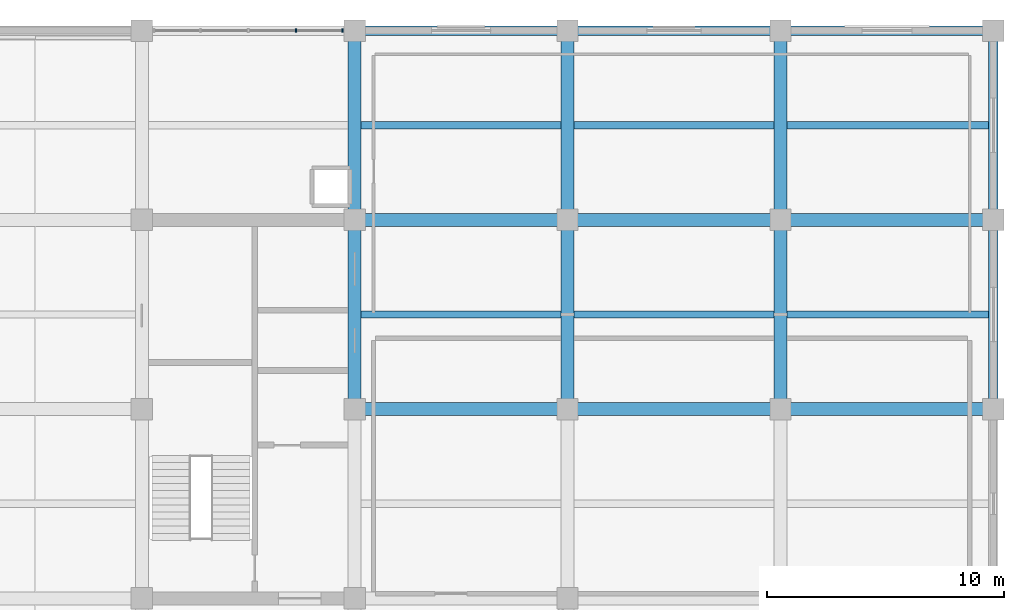
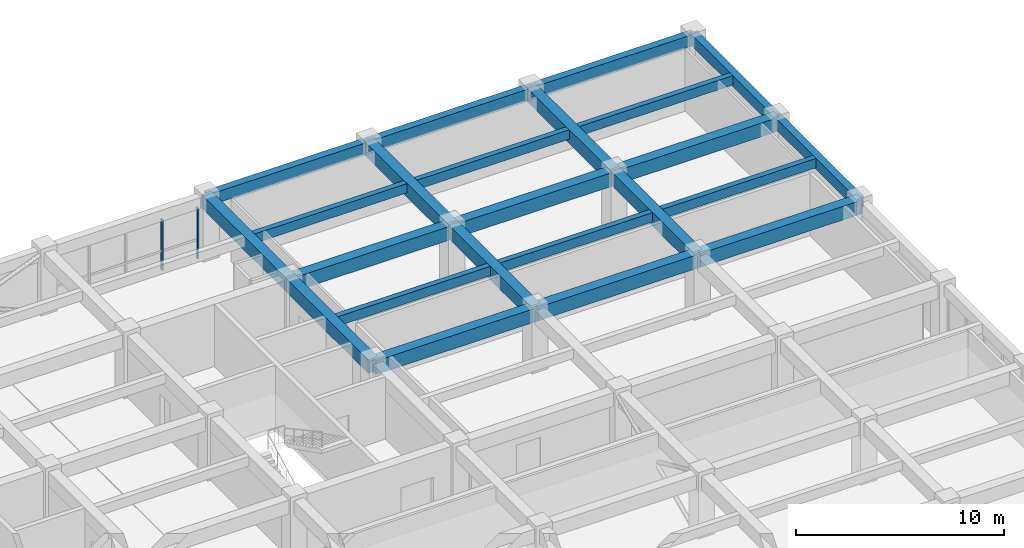
# One storey, part 10 of 16: 23 beams, 2 members, 1 element without a shape of its own.
"""IFC4 building model written with IfcOpenShell, lengths in metres."""

from ifc_helpers import new_model, si_unit, direction, frame, origin, origin_2d, place, context, subcontext, project, spatial, rectangle, extrude, material, material_profile, profile_set, type_object, element, aggregate, save


model = new_model("IFC4")

# Units and contexts
model_context = context("Model", 3, precision=1e-05, world=origin(), true_north=direction((0.0, 1.0)))
body_context = subcontext(model_context, "Body", "Model", "MODEL_VIEW")
ifc_project = project(units=[si_unit("LENGTHUNIT", "METRE"), si_unit("AREAUNIT", "SQUARE_METRE"), si_unit("VOLUMEUNIT", "CUBIC_METRE"), si_unit("PLANEANGLEUNIT", "RADIAN"), si_unit("MASSUNIT", "GRAM", prefix="KILO")], contexts=[model_context])

# Site, building, storey
site_placement = place(None, origin())
site = spatial("IfcSite", under=ifc_project, at=site_placement, CompositionType="ELEMENT")
building_placement = place(site_placement, origin())
building = spatial("IfcBuilding", under=site, at=building_placement, Name="Zaverband Oceanarium and Marine Research Institute", CompositionType="ELEMENT")
storey_placement = place(building_placement, frame((0.0, 0.0, 25.800048828125)))
storey = spatial("IfcBuildingStorey", under=building, at=storey_placement, Name="L06", CompositionType="ELEMENT", Elevation=25.800048828125)

# Beams
ifc_material_1 = material(Name="Concrete C40/50", Category="concrete")
ifc_material_profile_1 = material_profile(ifc_material_1, rectangle(XDim=0.550048828125, YDim=0.800048828125, at=origin_2d()), Name="RC550x800")
ifc_profile_set_1 = profile_set([ifc_material_profile_1], Name="Concrete C40/50")
beam_type_1 = type_object("IfcBeamType", Name="BM-550x800", PredefinedType="BEAM", material=ifc_profile_set_1)
for number, where, z_axis, x_axis, name in (
    (1, (45.0, 96.0, 3.25), (1.0, 0.0, 0.0), (0.0, 1.0, 0.0), "Primary floor girder BM-550x800"),
    (2, (54.0, 96.0, 3.25), (1.0, 0.0, 0.0), (0.0, 1.0, 0.0), "Primary floor girder BM-550x800"),
    (3, (63.0, 96.0, 3.25), (1.0, 0.0, 0.0), (0.0, 1.0, 0.0), "Primary floor girder BM-550x800"),
    (4, (45.0, 104.0, 3.25), (1.0, 0.0, 0.0), (0.0, 1.0, 0.0), "Primary floor girder BM-550x800"),
    (5, (54.0, 104.0, 3.25), (1.0, 0.0, 0.0), (0.0, 1.0, 0.0), "Primary floor girder BM-550x800"),
    (6, (63.0, 104.0, 3.25), (1.0, 0.0, 0.0), (0.0, 1.0, 0.0), "Primary floor girder BM-550x800"),
):
    element("IfcBeam", number, at=place(storey_placement, frame(where, z_axis=z_axis, x_axis=x_axis)), inside=storey, type_object=beam_type_1, Name=name, PredefinedType="BEAM", context=body_context, shape_type="SweptSolid", body=[
        extrude(rectangle(XDim=0.550048828125, YDim=0.800048828125, at=origin_2d()), origin(), (0.0, 0.0, 1.0), 9.0),
    ])
for number, where, z_axis, x_axis, name in (
    (7, (45.0, 96.0, 3.25), (0.0, 1.0, 0.0), (-1.0, 0.0, 0.0), "Primary floor girder BM-550x800"),
    (8, (45.0, 104.0, 3.25), (0.0, 1.0, 0.0), (-1.0, 0.0, 0.0), "Primary floor girder BM-550x800"),
    (9, (54.0, 96.0, 3.25), (0.0, 1.0, 0.0), (-1.0, 0.0, 0.0), "Primary floor girder BM-550x800"),
    (10, (54.0, 104.0, 3.25), (0.0, 1.0, 0.0), (-1.0, 0.0, 0.0), "Primary floor girder BM-550x800"),
    (11, (63.0, 96.0, 3.25), (0.0, 1.0, 0.0), (-1.0, 0.0, 0.0), "Primary floor girder BM-550x800"),
    (12, (63.0, 104.0, 3.25), (0.0, 1.0, 0.0), (-1.0, 0.0, 0.0), "Primary floor girder BM-550x800"),
):
    element("IfcBeam", number, at=place(storey_placement, frame(where, z_axis=z_axis, x_axis=x_axis)), inside=storey, type_object=beam_type_1, Name=name, PredefinedType="BEAM", context=body_context, shape_type="SweptSolid", body=[
        extrude(rectangle(XDim=0.550048828125, YDim=0.800048828125, at=origin_2d()), origin(), (0.0, 0.0, 1.0), 8.0),
    ])
ifc_material_profile_2 = material_profile(ifc_material_1, rectangle(XDim=0.300048828125, YDim=0.550048828125, at=origin_2d()), Name="RC300x550")
ifc_profile_set_2 = profile_set([ifc_material_profile_2], Name="Concrete C40/50")
beam_type_2 = type_object("IfcBeamType", Name="JST-300x550", PredefinedType="JOIST", material=ifc_profile_set_2)
for number, where, z_axis, x_axis, name in (
    (13, (45.27490234375, 100.0, 3.375), (1.0, 0.0, 0.0), (0.0, 1.0, 0.0), "Secondary floor joist JST-300x550"),
    (14, (45.27490234375, 108.0, 3.375), (1.0, 0.0, 0.0), (0.0, 1.0, 0.0), "Secondary floor joist JST-300x550"),
    (15, (54.27490234375, 100.0, 3.375), (1.0, 0.0, 0.0), (0.0, 1.0, 0.0), "Secondary floor joist JST-300x550"),
    (16, (54.27490234375, 108.0, 3.375), (1.0, 0.0, 0.0), (0.0, 1.0, 0.0), "Secondary floor joist JST-300x550"),
):
    element("IfcBeam", number, at=place(storey_placement, frame(where, z_axis=z_axis, x_axis=x_axis)), inside=storey, type_object=beam_type_2, Name=name, PredefinedType="JOIST", context=body_context, shape_type="SweptSolid", body=[
        extrude(rectangle(XDim=0.300048828125, YDim=0.550048828125, at=origin_2d()), origin(), (0.0, 0.0, 1.0), 8.4501953125),
    ])
for number, where, z_axis, x_axis, name in (
    (17, (63.27490234375, 100.0, 3.375), (1.0, 0.0, 0.0), (0.0, 1.0, 0.0), "Secondary floor joist JST-300x550"),
    (18, (63.27490234375, 108.0, 3.375), (1.0, 0.0, 0.0), (0.0, 1.0, 0.0), "Secondary floor joist JST-300x550"),
):
    element("IfcBeam", number, at=place(storey_placement, frame(where, z_axis=z_axis, x_axis=x_axis)), inside=storey, type_object=beam_type_2, Name=name, PredefinedType="JOIST", context=body_context, shape_type="SweptSolid", body=[
        extrude(rectangle(XDim=0.300048828125, YDim=0.550048828125, at=origin_2d()), origin(), (0.0, 0.0, 1.0), 8.525146484375),
    ])

# Curtain wall, members
ifc_material_2 = material(Name="Thermally broken anodized aluminium and solar-control glass", Category="aluminium")
curtain_wall_type = type_object("IfcCurtainWallType", Name="CW-UNIT-1800", PredefinedType="NOTDEFINED", material=ifc_material_2)
curtain_wall_placement = place(storey_placement, origin())
curtain_wall = element("IfcCurtainWall", 19, at=curtain_wall_placement, inside=storey, type_object=curtain_wall_type, Name="Unitised glazed curtain wall CW-081", PredefinedType="NOTDEFINED")
ifc_material_3 = material(Name="Thermally broken anodized aluminium", Category="aluminium")
ifc_material_profile_3 = material_profile(ifc_material_3, rectangle(XDim=0.070068359375, YDim=0.14990234375, at=origin_2d()), Name="AL-MUL-70x150")
ifc_profile_set_3 = profile_set([ifc_material_profile_3], Name="Thermally broken anodized aluminium")
member_type = type_object("IfcMemberType", Name="MUL-70x150", PredefinedType="MULLION", material=ifc_profile_set_3)
member_1_placement = place(storey_placement, frame((42.5224609375, 112.0, 0.0), z_axis=(0.0, 0.0, 1.0), x_axis=(1.0, 0.0, 0.0)))
member_1 = element("IfcMember", 20, at=member_1_placement, type_object=member_type, Name="Curtain wall vertical mullion MUL-70x150", PredefinedType="MULLION", context=body_context, shape_type="SweptSolid", body=[
    extrude(rectangle(XDim=0.070068359375, YDim=0.14990234375, at=origin_2d()), origin(), (0.0, 0.0, 1.0), 2.97998046875),
])
member_2_placement = place(storey_placement, frame((44.485107421875, 112.0, 0.0), z_axis=(0.0, 0.0, 1.0), x_axis=(1.0, 0.0, 0.0)))
member_2 = element("IfcMember", 21, at=member_2_placement, type_object=member_type, Name="Curtain wall vertical mullion MUL-70x150", PredefinedType="MULLION", context=body_context, shape_type="SweptSolid", body=[
    extrude(rectangle(XDim=0.070068359375, YDim=0.14990234375, at=origin_2d()), origin(), (0.0, 0.0, 1.0), 2.97998046875),
])
aggregate(curtain_wall, [member_1, member_2])

# Beams
ifc_material_profile_4 = material_profile(ifc_material_1, rectangle(XDim=0.39990234375, YDim=0.64990234375, at=origin_2d()), Name="RC400x650")
ifc_profile_set_4 = profile_set([ifc_material_profile_4], Name="Concrete C40/50")
beam_type_3 = type_object("IfcBeamType", Name="SPN-400x650", PredefinedType="SPANDREL", material=ifc_profile_set_4)
for number, where, z_axis, x_axis, name in (
    (22, (45.0, 112.0, 3.324951171875), (1.0, 0.0, 0.0), (0.0, 1.0, 0.0), "Perimeter spandrel beam SPN-400x650"),
    (23, (54.0, 112.0, 3.324951171875), (1.0, 0.0, 0.0), (0.0, 1.0, 0.0), "Perimeter spandrel beam SPN-400x650"),
    (24, (63.0, 112.0, 3.324951171875), (1.0, 0.0, 0.0), (0.0, 1.0, 0.0), "Perimeter spandrel beam SPN-400x650"),
):
    element("IfcBeam", number, at=place(storey_placement, frame(where, z_axis=z_axis, x_axis=x_axis)), inside=storey, type_object=beam_type_3, Name=name, PredefinedType="SPANDREL", context=body_context, shape_type="SweptSolid", body=[
        extrude(rectangle(XDim=0.39990234375, YDim=0.64990234375, at=origin_2d()), origin(), (0.0, 0.0, 1.0), 9.0),
    ])
for number, where, z_axis, x_axis, name in (
    (25, (72.0, 96.0, 3.324951171875), (0.0, 1.0, 0.0), (-1.0, 0.0, 0.0), "Perimeter spandrel beam SPN-400x650"),
    (26, (72.0, 104.0, 3.324951171875), (0.0, 1.0, 0.0), (-1.0, 0.0, 0.0), "Perimeter spandrel beam SPN-400x650"),
):
    element("IfcBeam", number, at=place(storey_placement, frame(where, z_axis=z_axis, x_axis=x_axis)), inside=storey, type_object=beam_type_3, Name=name, PredefinedType="SPANDREL", context=body_context, shape_type="SweptSolid", body=[
        extrude(rectangle(XDim=0.39990234375, YDim=0.64990234375, at=origin_2d()), origin(), (0.0, 0.0, 1.0), 8.0),
    ])

save(model, "model.ifc")
